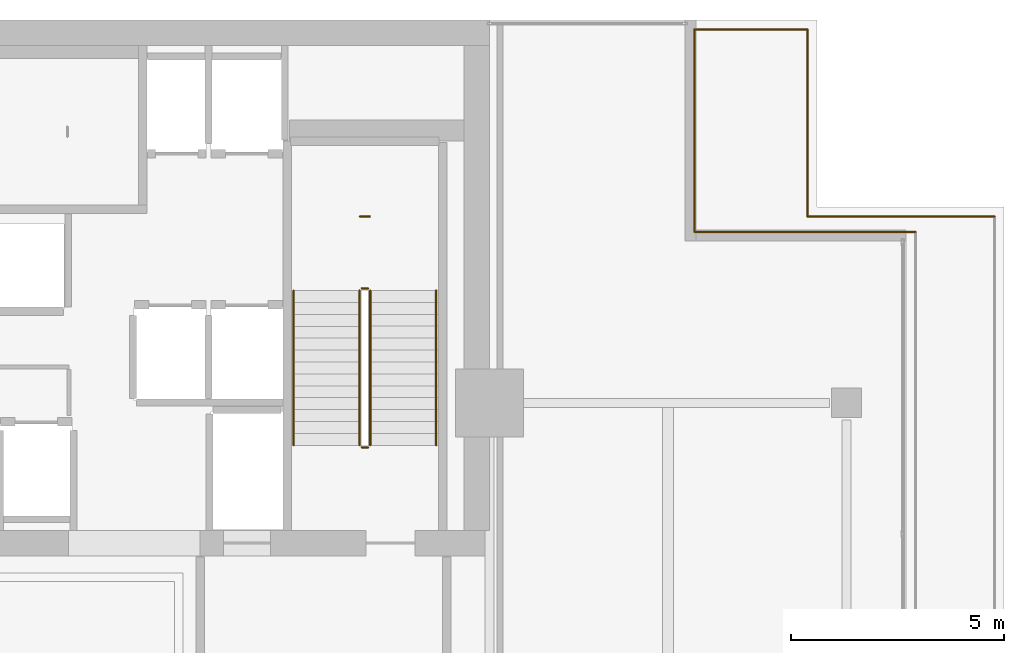
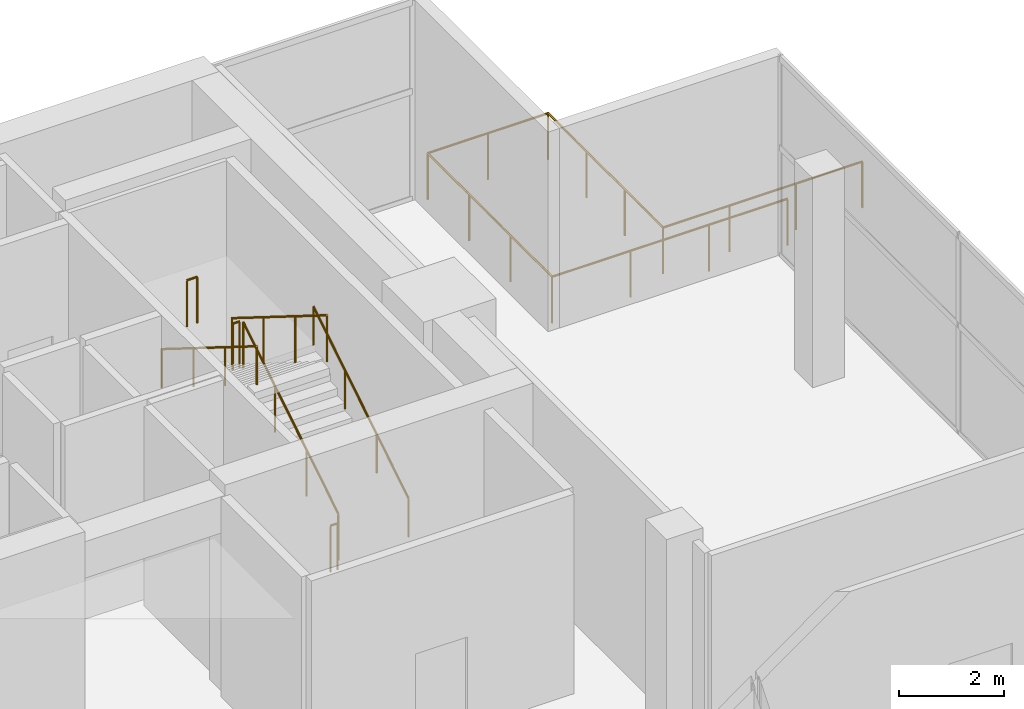
# One storey, part 28 of 28: 12 railings.
"""IFC4 building model written with IfcOpenShell, lengths in metres."""

from ifc_helpers import new_model, si_unit, direction, frame, origin, origin_2d, place, context, subcontext, project, spatial, circle, extrude, material, type_object, element, save


model = new_model("IFC4")

# Units and contexts
model_context = context("Model", 3, precision=1e-05, world=origin(), true_north=direction((0.0, 1.0)))
body_context = subcontext(model_context, "Body", "Model", "MODEL_VIEW")
ifc_project = project(units=[si_unit("LENGTHUNIT", "METRE"), si_unit("AREAUNIT", "SQUARE_METRE"), si_unit("VOLUMEUNIT", "CUBIC_METRE"), si_unit("PLANEANGLEUNIT", "RADIAN"), si_unit("MASSUNIT", "GRAM", prefix="KILO")], contexts=[model_context])

# Site, building, storey
site_placement = place(None, origin())
site = spatial("IfcSite", under=ifc_project, at=site_placement, CompositionType="ELEMENT")
building_placement = place(site_placement, origin())
building = spatial("IfcBuilding", under=site, at=building_placement, Name="Maruvema Waterfront Hotel and Observation Tower", CompositionType="ELEMENT")
storey_placement = place(building_placement, frame((0.0, 0.0, 234.5)))
storey = spatial("IfcBuildingStorey", under=building, at=storey_placement, Name="L57", CompositionType="ELEMENT", Elevation=234.5)

# Railings
ifc_material_1 = material(Name="Brushed stainless steel Grade 316", Category="steel")
railing_type_1 = type_object("IfcRailingType", Name="Ramp Continuous Wall Handrail 920 mm", PredefinedType="HANDRAIL", material=ifc_material_1)
railing_1_placement = place(storey_placement, frame((49.14990234375, 44.0, 0.175048828125)))
element("IfcRailing", 1, at=railing_1_placement, inside=storey, type_object=railing_type_1, Name="L57 ST-03 stair handrail 1", PredefinedType="HANDRAIL", context=body_context, shape_type="SweptSolid", body=[
    extrude(circle(Radius=0.02392578125, at=origin_2d()), frame((0.0, 0.0, 0.89599609375), z_axis=(0.0, 0.848001499411, 0.52999382732), x_axis=(-1.0, 0.0, 0.0)), (0.0, 0.0, 1.0), 4.292236328125),
    extrude(circle(Radius=0.02099609375, at=origin_2d()), origin(), (0.0, 0.0, 1.0), 0.871826171875),
    extrude(circle(Radius=0.02099609375, at=origin_2d()), frame((0.0, 1.21337890625, 0.75830078125)), (0.0, 0.0, 1.0), 0.871826171875),
    extrude(circle(Radius=0.02099609375, at=origin_2d()), frame((0.0, 2.426513671875, 1.5166015625)), (0.0, 0.0, 1.0), 0.871826171875),
    extrude(circle(Radius=0.02099609375, at=origin_2d()), frame((0.0, 3.639892578125, 2.27490234375)), (0.0, 0.0, 1.0), 0.871826171875),
])
railing_2_placement = place(storey_placement, frame((45.800048828125, 47.639892578125, 2.625)))
element("IfcRailing", 2, at=railing_2_placement, inside=storey, type_object=railing_type_1, Name="L57 ST-03 stair handrail 2", PredefinedType="HANDRAIL", context=body_context, shape_type="SweptSolid", body=[
    extrude(circle(Radius=0.02392578125, at=origin_2d()), frame((0.0, 0.0, 0.89599609375), z_axis=(0.0, -0.848001499411, 0.52999382732), x_axis=(1.0, 0.0, 0.0)), (0.0, 0.0, 1.0), 4.292236328125),
    extrude(circle(Radius=0.02099609375, at=origin_2d()), origin(), (0.0, 0.0, 1.0), 0.871826171875),
    extrude(circle(Radius=0.02099609375, at=origin_2d()), frame((0.0, -1.21337890625, 0.75830078125)), (0.0, 0.0, 1.0), 0.871826171875),
    extrude(circle(Radius=0.02099609375, at=origin_2d()), frame((0.0, -2.426513671875, 1.5166015625)), (0.0, 0.0, 1.0), 0.871826171875),
    extrude(circle(Radius=0.02099609375, at=origin_2d()), frame((0.0, -3.639892578125, 2.27490234375)), (0.0, 0.0, 1.0), 0.871826171875),
])
ifc_material_2 = material(Name="Brushed stainless steel Grade 316", Category="steel")
railing_type_2 = type_object("IfcRailingType", Name="Ramp and Terrace Guard Balustrade 1100 mm", PredefinedType="BALUSTRADE", material=ifc_material_2)
railing_3_placement = place(storey_placement, frame((47.60009765625, 44.0, 0.175048828125)))
element("IfcRailing", 3, at=railing_3_placement, inside=storey, type_object=railing_type_2, Name="L57 ST-03 stair guard 1", PredefinedType="BALUSTRADE", context=body_context, shape_type="SweptSolid", body=[
    extrude(circle(Radius=0.02392578125, at=origin_2d()), frame((0.0, 0.0, 1.076171875), z_axis=(0.0, 0.848001499411, 0.52999382732), x_axis=(-1.0, 0.0, 0.0)), (0.0, 0.0, 1.0), 4.292236328125),
    extrude(circle(Radius=0.02099609375, at=origin_2d()), origin(), (0.0, 0.0, 1.0), 1.052001953125),
    extrude(circle(Radius=0.02099609375, at=origin_2d()), frame((0.0, 1.21337890625, 0.75830078125)), (0.0, 0.0, 1.0), 1.052001953125),
    extrude(circle(Radius=0.02099609375, at=origin_2d()), frame((0.0, 2.426513671875, 1.5166015625)), (0.0, 0.0, 1.0), 1.052001953125),
    extrude(circle(Radius=0.02099609375, at=origin_2d()), frame((0.0, 3.639892578125, 2.27490234375)), (0.0, 0.0, 1.0), 1.052001953125),
])
railing_4_placement = place(storey_placement, frame((47.550048828125, 47.68994140625, 2.449951171875)))
element("IfcRailing", 4, at=railing_4_placement, inside=storey, type_object=railing_type_2, Name="L57 ST-03 stair guard 2", PredefinedType="BALUSTRADE", context=body_context, shape_type="SweptSolid", body=[
    extrude(circle(Radius=0.02392578125, at=origin_2d()), frame((0.0, 0.0, 1.076171875), z_axis=(-1.0, 0.0, 0.0), x_axis=(0.0, -1.0, 0.0)), (0.0, 0.0, 1.0), 0.150146484375),
    extrude(circle(Radius=0.02099609375, at=origin_2d()), origin(), (0.0, 0.0, 1.0), 1.052001953125),
    extrude(circle(Radius=0.02099609375, at=origin_2d()), frame((-0.150146484375, 0.0, 0.0)), (0.0, 0.0, 1.0), 1.052001953125),
])
railing_5_placement = place(storey_placement, frame((47.35009765625, 47.639892578125, 2.625)))
element("IfcRailing", 5, at=railing_5_placement, inside=storey, type_object=railing_type_2, Name="L57 ST-03 stair guard 3", PredefinedType="BALUSTRADE", context=body_context, shape_type="SweptSolid", body=[
    extrude(circle(Radius=0.02392578125, at=origin_2d()), frame((0.0, 0.0, 1.076171875), z_axis=(0.0, -0.848001499411, 0.52999382732), x_axis=(1.0, 0.0, 0.0)), (0.0, 0.0, 1.0), 4.292236328125),
    extrude(circle(Radius=0.02099609375, at=origin_2d()), origin(), (0.0, 0.0, 1.0), 1.052001953125),
    extrude(circle(Radius=0.02099609375, at=origin_2d()), frame((0.0, -1.21337890625, 0.75830078125)), (0.0, 0.0, 1.0), 1.052001953125),
    extrude(circle(Radius=0.02099609375, at=origin_2d()), frame((0.0, -2.426513671875, 1.5166015625)), (0.0, 0.0, 1.0), 1.052001953125),
    extrude(circle(Radius=0.02099609375, at=origin_2d()), frame((0.0, -3.639892578125, 2.27490234375)), (0.0, 0.0, 1.0), 1.052001953125),
])
railing_6_placement = place(storey_placement, frame((47.550048828125, 43.949951171875, 0.0)))
element("IfcRailing", 6, at=railing_6_placement, inside=storey, type_object=railing_type_2, Name="L57 ST-03 stair guard 4", PredefinedType="BALUSTRADE", context=body_context, shape_type="SweptSolid", body=[
    extrude(circle(Radius=0.02392578125, at=origin_2d()), frame((0.0, 0.0, 1.076171875), z_axis=(-1.0, 0.0, 0.0), x_axis=(0.0, -1.0, 0.0)), (0.0, 0.0, 1.0), 0.150146484375),
    extrude(circle(Radius=0.02099609375, at=origin_2d()), origin(), (0.0, 0.0, 1.0), 1.052001953125),
    extrude(circle(Radius=0.02099609375, at=origin_2d()), frame((-0.150146484375, 0.0, 0.0)), (0.0, 0.0, 1.0), 1.052001953125),
])
railing_7_placement = place(storey_placement, frame((47.590087890625, 49.3798828125, 2.449951171875)))
element("IfcRailing", 7, at=railing_7_placement, inside=storey, type_object=railing_type_2, Name="L57 ST-03 Half-Landing Slot Guard", PredefinedType="BALUSTRADE", context=body_context, shape_type="SweptSolid", body=[
    extrude(circle(Radius=0.02392578125, at=origin_2d()), frame((0.0, 0.0, 1.076171875), z_axis=(-1.0, 0.0, 0.0), x_axis=(0.0, -1.0, 0.0)), (0.0, 0.0, 1.0), 0.22998046875),
    extrude(circle(Radius=0.02099609375, at=origin_2d()), origin(), (0.0, 0.0, 1.0), 1.052001953125),
    extrude(circle(Radius=0.02099609375, at=origin_2d()), frame((-0.22998046875, 0.0, 0.0)), (0.0, 0.0, 1.0), 1.052001953125),
])
railing_8_placement = place(storey_placement, frame((57.8798828125, 53.780029296875, 0.0)))
element("IfcRailing", 8, at=railing_8_placement, inside=storey, type_object=railing_type_2, Name="L57 Perimeter Safety Balustrade 1", PredefinedType="BALUSTRADE", context=body_context, shape_type="SweptSolid", body=[
    extrude(circle(Radius=0.02392578125, at=origin_2d()), frame((0.0, 0.0, 1.076171875), z_axis=(0.0, -1.0, 0.0), x_axis=(1.0, 0.0, 0.0)), (0.0, 0.0, 1.0), 4.400146484375),
    extrude(circle(Radius=0.02099609375, at=origin_2d()), origin(), (0.0, 0.0, 1.0), 1.052001953125),
    extrude(circle(Radius=0.02099609375, at=origin_2d()), frame((0.0, -1.466796875, 0.0)), (0.0, 0.0, 1.0), 1.052001953125),
    extrude(circle(Radius=0.02099609375, at=origin_2d()), frame((0.0, -2.933349609375, 0.0)), (0.0, 0.0, 1.0), 1.052001953125),
    extrude(circle(Radius=0.02099609375, at=origin_2d()), frame((0.0, -4.400146484375, 0.0)), (0.0, 0.0, 1.0), 1.052001953125),
])
railing_9_placement = place(storey_placement, frame((57.8798828125, 49.3798828125, 0.0)))
element("IfcRailing", 9, at=railing_9_placement, inside=storey, type_object=railing_type_2, Name="L57 Perimeter Safety Balustrade 2", PredefinedType="BALUSTRADE", context=body_context, shape_type="SweptSolid", body=[
    extrude(circle(Radius=0.02392578125, at=origin_2d()), frame((0.0, 0.0, 1.076171875), z_axis=(1.0, 0.0, 0.0), x_axis=(0.0, 1.0, 0.0)), (0.0, 0.0, 1.0), 4.400146484375),
    extrude(circle(Radius=0.02099609375, at=origin_2d()), origin(), (0.0, 0.0, 1.0), 1.052001953125),
    extrude(circle(Radius=0.02099609375, at=origin_2d()), frame((1.466796875, 0.0, 0.0)), (0.0, 0.0, 1.0), 1.052001953125),
    extrude(circle(Radius=0.02099609375, at=origin_2d()), frame((2.933349609375, 0.0, 0.0)), (0.0, 0.0, 1.0), 1.052001953125),
    extrude(circle(Radius=0.02099609375, at=origin_2d()), frame((4.400146484375, 0.0, 0.0)), (0.0, 0.0, 1.0), 1.052001953125),
])
railing_10_placement = place(storey_placement, frame((60.419921875, 49.02001953125, 0.0)))
element("IfcRailing", 10, at=railing_10_placement, inside=storey, type_object=railing_type_2, Name="L57 Perimeter Safety Balustrade 22", PredefinedType="BALUSTRADE", context=body_context, shape_type="SweptSolid", body=[
    extrude(circle(Radius=0.02392578125, at=origin_2d()), frame((0.0, 0.0, 1.076171875), z_axis=(-1.0, 0.0, 0.0), x_axis=(0.0, -1.0, 0.0)), (0.0, 0.0, 1.0), 5.199951171875),
    extrude(circle(Radius=0.02099609375, at=origin_2d()), origin(), (0.0, 0.0, 1.0), 1.052001953125),
    extrude(circle(Radius=0.02099609375, at=origin_2d()), frame((-1.7333984375, 0.0, 0.0)), (0.0, 0.0, 1.0), 1.052001953125),
    extrude(circle(Radius=0.02099609375, at=origin_2d()), frame((-3.466552734375, 0.0, 0.0)), (0.0, 0.0, 1.0), 1.052001953125),
    extrude(circle(Radius=0.02099609375, at=origin_2d()), frame((-5.199951171875, 0.0, 0.0)), (0.0, 0.0, 1.0), 1.052001953125),
])
railing_11_placement = place(storey_placement, frame((55.219970703125, 49.02001953125, 0.0)))
element("IfcRailing", 11, at=railing_11_placement, inside=storey, type_object=railing_type_2, Name="L57 Perimeter Safety Balustrade 23", PredefinedType="BALUSTRADE", context=body_context, shape_type="SweptSolid", body=[
    extrude(circle(Radius=0.02392578125, at=origin_2d()), frame((0.0, 0.0, 1.076171875), z_axis=(0.0, 1.0, 0.0), x_axis=(-1.0, 0.0, 0.0)), (0.0, 0.0, 1.0), 4.760009765625),
    extrude(circle(Radius=0.02099609375, at=origin_2d()), origin(), (0.0, 0.0, 1.0), 1.052001953125),
    extrude(circle(Radius=0.02099609375, at=origin_2d()), frame((0.0, 1.586669921875, 0.0)), (0.0, 0.0, 1.0), 1.052001953125),
    extrude(circle(Radius=0.02099609375, at=origin_2d()), frame((0.0, 3.17333984375, 0.0)), (0.0, 0.0, 1.0), 1.052001953125),
    extrude(circle(Radius=0.02099609375, at=origin_2d()), frame((0.0, 4.760009765625, 0.0)), (0.0, 0.0, 1.0), 1.052001953125),
])
railing_12_placement = place(storey_placement, frame((55.219970703125, 53.780029296875, 0.0)))
element("IfcRailing", 12, at=railing_12_placement, inside=storey, type_object=railing_type_2, Name="L57 Perimeter Safety Balustrade 24", PredefinedType="BALUSTRADE", context=body_context, shape_type="SweptSolid", body=[
    extrude(circle(Radius=0.02392578125, at=origin_2d()), frame((0.0, 0.0, 1.076171875), z_axis=(1.0, 0.0, 0.0), x_axis=(0.0, 1.0, 0.0)), (0.0, 0.0, 1.0), 2.659912109375),
    extrude(circle(Radius=0.02099609375, at=origin_2d()), origin(), (0.0, 0.0, 1.0), 1.052001953125),
    extrude(circle(Radius=0.02099609375, at=origin_2d()), frame((1.330078125, 0.0, 0.0)), (0.0, 0.0, 1.0), 1.052001953125),
    extrude(circle(Radius=0.02099609375, at=origin_2d()), frame((2.659912109375, 0.0, 0.0)), (0.0, 0.0, 1.0), 1.052001953125),
])

save(model, "model.ifc")
